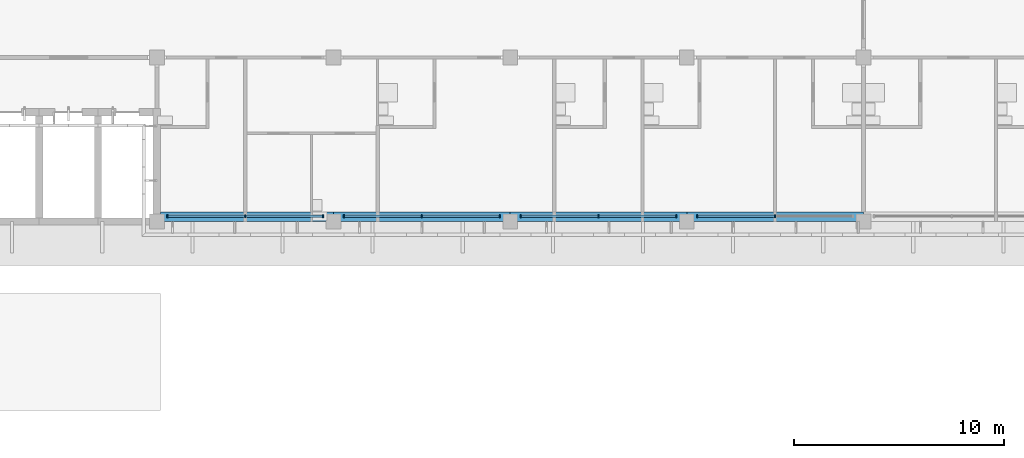
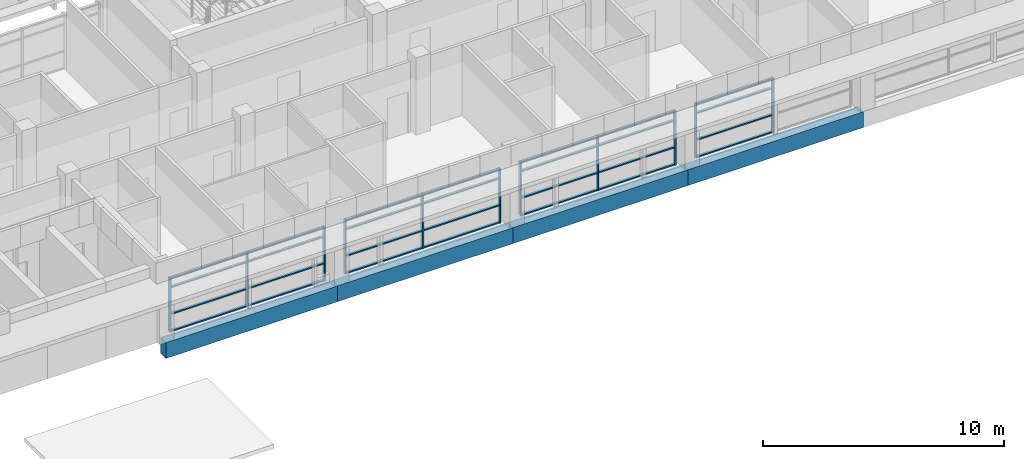
# One storey, part 3 of 36: 39 members, 4 beams, 4 elements without a shape of their own.
"""IFC4 building model written with IfcOpenShell, lengths in metres."""

from ifc_helpers import new_model, si_unit, direction, frame, origin, origin_2d, place, context, subcontext, project, spatial, rectangle, extrude, material, material_profile, profile_set, type_object, element, aggregate, save


model = new_model("IFC4")

# Units and contexts
model_context = context("Model", 3, precision=1e-05, world=origin(), true_north=direction((0.0, 1.0)))
body_context = subcontext(model_context, "Body", "Model", "MODEL_VIEW")
ifc_project = project(units=[si_unit("LENGTHUNIT", "METRE"), si_unit("AREAUNIT", "SQUARE_METRE"), si_unit("VOLUMEUNIT", "CUBIC_METRE"), si_unit("PLANEANGLEUNIT", "RADIAN"), si_unit("MASSUNIT", "GRAM", prefix="KILO")], contexts=[model_context])

# Site, building, storey
site_placement = place(None, origin())
site = spatial("IfcSite", under=ifc_project, at=site_placement, CompositionType="ELEMENT")
building_placement = place(site_placement, origin())
building = spatial("IfcBuilding", under=site, at=building_placement, Name="Bougainvillea Quay General Hospital", CompositionType="ELEMENT")
storey_placement = place(building_placement, frame((0.0, 0.0, 32.699951171875)))
storey = spatial("IfcBuildingStorey", under=building, at=storey_placement, Name="L07", CompositionType="ELEMENT", Elevation=32.699951171875)

# Curtain wall, members
ifc_material_1 = material(Name="Aluminium curtain wall system, powder-coated glazed", Category="aluminium")
curtain_wall_type = type_object("IfcCurtainWallType", Name="Unitised curtain wall CW-3730", PredefinedType="NOTDEFINED", material=ifc_material_1)
curtain_wall_1_placement = place(storey_placement, origin())
curtain_wall_1 = element("IfcCurtainWall", 1, at=curtain_wall_1_placement, inside=storey, type_object=curtain_wall_type, Name="CW-4200 00", PredefinedType="NOTDEFINED")
ifc_material_2 = material(Name="Aluminium mullion, powder-coated charcoal", Category="aluminium")
ifc_material_profile_1 = material_profile(ifc_material_2, rectangle(XDim=0.159912109375, YDim=0.06005859375, at=origin_2d()))
ifc_profile_set_1 = profile_set([ifc_material_profile_1], Name="Aluminium mullion, powder-coated charcoal")
member_type_1 = type_object("IfcMemberType", Name="Curtain wall mullion 160x60", PredefinedType="MULLION", material=ifc_profile_set_1)
member_1_placement = place(storey_placement, frame((76.10009765625, 140.64990234375, 0.0), z_axis=(0.0, 0.0, 1.0), x_axis=(0.0, 1.0, 0.0)))
member_1 = element("IfcMember", 2, at=member_1_placement, type_object=member_type_1, Name="CW-4200 mullion 1", PredefinedType="MULLION", context=body_context, shape_type="SweptSolid", body=[
    extrude(rectangle(XDim=0.159912109375, YDim=0.06005859375, at=origin_2d()), origin(), (0.0, 0.0, 1.0), 2.75),
])
member_2_placement = place(storey_placement, frame((79.800048828125, 140.64990234375, 0.0), z_axis=(0.0, 0.0, 1.0), x_axis=(0.0, 1.0, 0.0)))
member_2 = element("IfcMember", 3, at=member_2_placement, type_object=member_type_1, Name="CW-4200 mullion 2", PredefinedType="MULLION", context=body_context, shape_type="SweptSolid", body=[
    extrude(rectangle(XDim=0.159912109375, YDim=0.06005859375, at=origin_2d()), origin(), (0.0, 0.0, 1.0), 2.75),
])
member_3_placement = place(storey_placement, frame((83.5, 140.64990234375, 0.0), z_axis=(0.0, 0.0, 1.0), x_axis=(0.0, 1.0, 0.0)))
member_3 = element("IfcMember", 4, at=member_3_placement, type_object=member_type_1, Name="CW-4200 mullion 3", PredefinedType="MULLION", context=body_context, shape_type="SweptSolid", body=[
    extrude(rectangle(XDim=0.159912109375, YDim=0.06005859375, at=origin_2d()), origin(), (0.0, 0.0, 1.0), 2.75),
])

curtain_wall_2_placement = place(storey_placement, origin())
curtain_wall_2 = element("IfcCurtainWall", 5, at=curtain_wall_2_placement, inside=storey, type_object=curtain_wall_type, Name="CW-4200 01", PredefinedType="NOTDEFINED")
member_4_placement = place(storey_placement, frame((84.5, 140.64990234375, 0.0), z_axis=(0.0, 0.0, 1.0), x_axis=(0.0, 1.0, 0.0)))
member_4 = element("IfcMember", 6, at=member_4_placement, type_object=member_type_1, Name="CW-4200 mullion 1", PredefinedType="MULLION", context=body_context, shape_type="SweptSolid", body=[
    extrude(rectangle(XDim=0.159912109375, YDim=0.06005859375, at=origin_2d()), origin(), (0.0, 0.0, 1.0), 2.75),
])
member_5_placement = place(storey_placement, frame((88.199951171875, 140.64990234375, 0.0), z_axis=(0.0, 0.0, 1.0), x_axis=(0.0, 1.0, 0.0)))
member_5 = element("IfcMember", 7, at=member_5_placement, type_object=member_type_1, Name="CW-4200 mullion 2", PredefinedType="MULLION", context=body_context, shape_type="SweptSolid", body=[
    extrude(rectangle(XDim=0.159912109375, YDim=0.06005859375, at=origin_2d()), origin(), (0.0, 0.0, 1.0), 2.75),
])
member_6_placement = place(storey_placement, frame((91.89990234375, 140.64990234375, 0.0), z_axis=(0.0, 0.0, 1.0), x_axis=(0.0, 1.0, 0.0)))
member_6 = element("IfcMember", 8, at=member_6_placement, type_object=member_type_1, Name="CW-4200 mullion 3", PredefinedType="MULLION", context=body_context, shape_type="SweptSolid", body=[
    extrude(rectangle(XDim=0.159912109375, YDim=0.06005859375, at=origin_2d()), origin(), (0.0, 0.0, 1.0), 2.75),
])

curtain_wall_3_placement = place(storey_placement, origin())
curtain_wall_3 = element("IfcCurtainWall", 9, at=curtain_wall_3_placement, inside=storey, type_object=curtain_wall_type, Name="CW-4200 02", PredefinedType="NOTDEFINED")
member_7_placement = place(storey_placement, frame((92.89990234375, 140.64990234375, 0.0), z_axis=(0.0, 0.0, 1.0), x_axis=(0.0, 1.0, 0.0)))
member_7 = element("IfcMember", 10, at=member_7_placement, type_object=member_type_1, Name="CW-4200 mullion 1", PredefinedType="MULLION", context=body_context, shape_type="SweptSolid", body=[
    extrude(rectangle(XDim=0.159912109375, YDim=0.06005859375, at=origin_2d()), origin(), (0.0, 0.0, 1.0), 2.75),
])
member_8_placement = place(storey_placement, frame((96.60009765625, 140.64990234375, 0.0), z_axis=(0.0, 0.0, 1.0), x_axis=(0.0, 1.0, 0.0)))
member_8 = element("IfcMember", 11, at=member_8_placement, type_object=member_type_1, Name="CW-4200 mullion 2", PredefinedType="MULLION", context=body_context, shape_type="SweptSolid", body=[
    extrude(rectangle(XDim=0.159912109375, YDim=0.06005859375, at=origin_2d()), origin(), (0.0, 0.0, 1.0), 2.75),
])
member_9_placement = place(storey_placement, frame((100.300048828125, 140.64990234375, 0.0), z_axis=(0.0, 0.0, 1.0), x_axis=(0.0, 1.0, 0.0)))
member_9 = element("IfcMember", 12, at=member_9_placement, type_object=member_type_1, Name="CW-4200 mullion 3", PredefinedType="MULLION", context=body_context, shape_type="SweptSolid", body=[
    extrude(rectangle(XDim=0.159912109375, YDim=0.06005859375, at=origin_2d()), origin(), (0.0, 0.0, 1.0), 2.75),
])

curtain_wall_4_placement = place(storey_placement, origin())
curtain_wall_4 = element("IfcCurtainWall", 13, at=curtain_wall_4_placement, inside=storey, type_object=curtain_wall_type, Name="CW-4200 03", PredefinedType="NOTDEFINED")
member_10_placement = place(storey_placement, frame((101.300048828125, 140.64990234375, 0.0), z_axis=(0.0, 0.0, 1.0), x_axis=(0.0, 1.0, 0.0)))
member_10 = element("IfcMember", 14, at=member_10_placement, type_object=member_type_1, Name="CW-4200 mullion 1", PredefinedType="MULLION", context=body_context, shape_type="SweptSolid", body=[
    extrude(rectangle(XDim=0.159912109375, YDim=0.06005859375, at=origin_2d()), origin(), (0.0, 0.0, 1.0), 2.75),
])
member_11_placement = place(storey_placement, frame((105.0, 140.64990234375, 0.0), z_axis=(0.0, 0.0, 1.0), x_axis=(0.0, 1.0, 0.0)))
member_11 = element("IfcMember", 15, at=member_11_placement, type_object=member_type_1, Name="CW-4200 mullion 2", PredefinedType="MULLION", context=body_context, shape_type="SweptSolid", body=[
    extrude(rectangle(XDim=0.159912109375, YDim=0.06005859375, at=origin_2d()), origin(), (0.0, 0.0, 1.0), 2.75),
])

# Member
ifc_material_3 = material(Name="Aluminium transom, powder-coated charcoal", Category="aluminium")
ifc_material_profile_2 = material_profile(ifc_material_3, rectangle(XDim=0.1201171875, YDim=0.06005859375, at=origin_2d()))
ifc_profile_set_2 = profile_set([ifc_material_profile_2], Name="Aluminium transom, powder-coated charcoal")
member_type_2 = type_object("IfcMemberType", Name="Curtain wall transom 120x60", PredefinedType="USERDEFINED", material=ifc_profile_set_2)
member_12_placement = place(storey_placement, frame((76.1298828125, 140.64990234375, 0.030029296875), z_axis=(1.0, 0.0, 0.0), x_axis=(0.0, 1.0, 0.0)))
member_12 = element("IfcMember", 16, at=member_12_placement, type_object=member_type_2, Name="CW-4200 transom 1.1", ObjectType="TRANSOM", PredefinedType="USERDEFINED", context=body_context, shape_type="SweptSolid", body=[
    extrude(rectangle(XDim=0.1201171875, YDim=0.06005859375, at=origin_2d()), origin(), (0.0, 0.0, 1.0), 3.64013671875),
])

member_13_placement = place(storey_placement, frame((76.1298828125, 140.64990234375, 0.900146484375), z_axis=(1.0, 0.0, 0.0), x_axis=(0.0, 1.0, 0.0)))
member_13 = element("IfcMember", 17, at=member_13_placement, type_object=member_type_2, Name="CW-4200 transom 1.2", ObjectType="TRANSOM", PredefinedType="USERDEFINED", context=body_context, shape_type="SweptSolid", body=[
    extrude(rectangle(XDim=0.1201171875, YDim=0.06005859375, at=origin_2d()), origin(), (0.0, 0.0, 1.0), 3.64013671875),
])

member_14_placement = place(storey_placement, frame((76.1298828125, 140.64990234375, 2.25), z_axis=(1.0, 0.0, 0.0), x_axis=(0.0, 1.0, 0.0)))
member_14 = element("IfcMember", 18, at=member_14_placement, type_object=member_type_2, Name="CW-4200 transom 1.3", ObjectType="TRANSOM", PredefinedType="USERDEFINED", context=body_context, shape_type="SweptSolid", body=[
    extrude(rectangle(XDim=0.1201171875, YDim=0.06005859375, at=origin_2d()), origin(), (0.0, 0.0, 1.0), 3.64013671875),
])

member_15_placement = place(storey_placement, frame((76.1298828125, 140.64990234375, 2.719970703125), z_axis=(1.0, 0.0, 0.0), x_axis=(0.0, 1.0, 0.0)))
member_15 = element("IfcMember", 19, at=member_15_placement, type_object=member_type_2, Name="CW-4200 transom 1.4", ObjectType="TRANSOM", PredefinedType="USERDEFINED", context=body_context, shape_type="SweptSolid", body=[
    extrude(rectangle(XDim=0.1201171875, YDim=0.06005859375, at=origin_2d()), origin(), (0.0, 0.0, 1.0), 3.64013671875),
])

member_16_placement = place(storey_placement, frame((79.830078125, 140.64990234375, 0.030029296875), z_axis=(1.0, 0.0, 0.0), x_axis=(0.0, 1.0, 0.0)))
member_16 = element("IfcMember", 20, at=member_16_placement, type_object=member_type_2, Name="CW-4200 transom 2.1", ObjectType="TRANSOM", PredefinedType="USERDEFINED", context=body_context, shape_type="SweptSolid", body=[
    extrude(rectangle(XDim=0.1201171875, YDim=0.06005859375, at=origin_2d()), origin(), (0.0, 0.0, 1.0), 3.639892578125),
])

member_17_placement = place(storey_placement, frame((79.830078125, 140.64990234375, 0.900146484375), z_axis=(1.0, 0.0, 0.0), x_axis=(0.0, 1.0, 0.0)))
member_17 = element("IfcMember", 21, at=member_17_placement, type_object=member_type_2, Name="CW-4200 transom 2.2", ObjectType="TRANSOM", PredefinedType="USERDEFINED", context=body_context, shape_type="SweptSolid", body=[
    extrude(rectangle(XDim=0.1201171875, YDim=0.06005859375, at=origin_2d()), origin(), (0.0, 0.0, 1.0), 3.639892578125),
])

member_18_placement = place(storey_placement, frame((79.830078125, 140.64990234375, 2.25), z_axis=(1.0, 0.0, 0.0), x_axis=(0.0, 1.0, 0.0)))
member_18 = element("IfcMember", 22, at=member_18_placement, type_object=member_type_2, Name="CW-4200 transom 2.3", ObjectType="TRANSOM", PredefinedType="USERDEFINED", context=body_context, shape_type="SweptSolid", body=[
    extrude(rectangle(XDim=0.1201171875, YDim=0.06005859375, at=origin_2d()), origin(), (0.0, 0.0, 1.0), 3.639892578125),
])

member_19_placement = place(storey_placement, frame((79.830078125, 140.64990234375, 2.719970703125), z_axis=(1.0, 0.0, 0.0), x_axis=(0.0, 1.0, 0.0)))
member_19 = element("IfcMember", 23, at=member_19_placement, type_object=member_type_2, Name="CW-4200 transom 2.4", ObjectType="TRANSOM", PredefinedType="USERDEFINED", context=body_context, shape_type="SweptSolid", body=[
    extrude(rectangle(XDim=0.1201171875, YDim=0.06005859375, at=origin_2d()), origin(), (0.0, 0.0, 1.0), 3.639892578125),
])

aggregate(curtain_wall_1, [member_1, member_2, member_3, member_12, member_13, member_14, member_15, member_16, member_17, member_18, member_19])

member_20_placement = place(storey_placement, frame((84.530029296875, 140.64990234375, 0.030029296875), z_axis=(1.0, 0.0, 0.0), x_axis=(0.0, 1.0, 0.0)))
member_20 = element("IfcMember", 24, at=member_20_placement, type_object=member_type_2, Name="CW-4200 transom 1.1", ObjectType="TRANSOM", PredefinedType="USERDEFINED", context=body_context, shape_type="SweptSolid", body=[
    extrude(rectangle(XDim=0.1201171875, YDim=0.06005859375, at=origin_2d()), origin(), (0.0, 0.0, 1.0), 3.639892578125),
])

member_21_placement = place(storey_placement, frame((84.530029296875, 140.64990234375, 0.900146484375), z_axis=(1.0, 0.0, 0.0), x_axis=(0.0, 1.0, 0.0)))
member_21 = element("IfcMember", 25, at=member_21_placement, type_object=member_type_2, Name="CW-4200 transom 1.2", ObjectType="TRANSOM", PredefinedType="USERDEFINED", context=body_context, shape_type="SweptSolid", body=[
    extrude(rectangle(XDim=0.1201171875, YDim=0.06005859375, at=origin_2d()), origin(), (0.0, 0.0, 1.0), 3.639892578125),
])

member_22_placement = place(storey_placement, frame((84.530029296875, 140.64990234375, 2.25), z_axis=(1.0, 0.0, 0.0), x_axis=(0.0, 1.0, 0.0)))
member_22 = element("IfcMember", 26, at=member_22_placement, type_object=member_type_2, Name="CW-4200 transom 1.3", ObjectType="TRANSOM", PredefinedType="USERDEFINED", context=body_context, shape_type="SweptSolid", body=[
    extrude(rectangle(XDim=0.1201171875, YDim=0.06005859375, at=origin_2d()), origin(), (0.0, 0.0, 1.0), 3.639892578125),
])

member_23_placement = place(storey_placement, frame((84.530029296875, 140.64990234375, 2.719970703125), z_axis=(1.0, 0.0, 0.0), x_axis=(0.0, 1.0, 0.0)))
member_23 = element("IfcMember", 27, at=member_23_placement, type_object=member_type_2, Name="CW-4200 transom 1.4", ObjectType="TRANSOM", PredefinedType="USERDEFINED", context=body_context, shape_type="SweptSolid", body=[
    extrude(rectangle(XDim=0.1201171875, YDim=0.06005859375, at=origin_2d()), origin(), (0.0, 0.0, 1.0), 3.639892578125),
])

member_24_placement = place(storey_placement, frame((88.22998046875, 140.64990234375, 0.030029296875), z_axis=(1.0, 0.0, 0.0), x_axis=(0.0, 1.0, 0.0)))
member_24 = element("IfcMember", 28, at=member_24_placement, type_object=member_type_2, Name="CW-4200 transom 2.1", ObjectType="TRANSOM", PredefinedType="USERDEFINED", context=body_context, shape_type="SweptSolid", body=[
    extrude(rectangle(XDim=0.1201171875, YDim=0.06005859375, at=origin_2d()), origin(), (0.0, 0.0, 1.0), 3.64013671875),
])

member_25_placement = place(storey_placement, frame((88.22998046875, 140.64990234375, 0.900146484375), z_axis=(1.0, 0.0, 0.0), x_axis=(0.0, 1.0, 0.0)))
member_25 = element("IfcMember", 29, at=member_25_placement, type_object=member_type_2, Name="CW-4200 transom 2.2", ObjectType="TRANSOM", PredefinedType="USERDEFINED", context=body_context, shape_type="SweptSolid", body=[
    extrude(rectangle(XDim=0.1201171875, YDim=0.06005859375, at=origin_2d()), origin(), (0.0, 0.0, 1.0), 3.64013671875),
])

member_26_placement = place(storey_placement, frame((88.22998046875, 140.64990234375, 2.25), z_axis=(1.0, 0.0, 0.0), x_axis=(0.0, 1.0, 0.0)))
member_26 = element("IfcMember", 30, at=member_26_placement, type_object=member_type_2, Name="CW-4200 transom 2.3", ObjectType="TRANSOM", PredefinedType="USERDEFINED", context=body_context, shape_type="SweptSolid", body=[
    extrude(rectangle(XDim=0.1201171875, YDim=0.06005859375, at=origin_2d()), origin(), (0.0, 0.0, 1.0), 3.64013671875),
])

member_27_placement = place(storey_placement, frame((88.22998046875, 140.64990234375, 2.719970703125), z_axis=(1.0, 0.0, 0.0), x_axis=(0.0, 1.0, 0.0)))
member_27 = element("IfcMember", 31, at=member_27_placement, type_object=member_type_2, Name="CW-4200 transom 2.4", ObjectType="TRANSOM", PredefinedType="USERDEFINED", context=body_context, shape_type="SweptSolid", body=[
    extrude(rectangle(XDim=0.1201171875, YDim=0.06005859375, at=origin_2d()), origin(), (0.0, 0.0, 1.0), 3.64013671875),
])

aggregate(curtain_wall_2, [member_4, member_5, member_6, member_20, member_21, member_22, member_23, member_24, member_25, member_26, member_27])

member_28_placement = place(storey_placement, frame((92.929931640625, 140.64990234375, 0.030029296875), z_axis=(1.0, 0.0, 0.0), x_axis=(0.0, 1.0, 0.0)))
member_28 = element("IfcMember", 32, at=member_28_placement, type_object=member_type_2, Name="CW-4200 transom 1.1", ObjectType="TRANSOM", PredefinedType="USERDEFINED", context=body_context, shape_type="SweptSolid", body=[
    extrude(rectangle(XDim=0.1201171875, YDim=0.06005859375, at=origin_2d()), origin(), (0.0, 0.0, 1.0), 3.64013671875),
])

member_29_placement = place(storey_placement, frame((92.929931640625, 140.64990234375, 0.900146484375), z_axis=(1.0, 0.0, 0.0), x_axis=(0.0, 1.0, 0.0)))
member_29 = element("IfcMember", 33, at=member_29_placement, type_object=member_type_2, Name="CW-4200 transom 1.2", ObjectType="TRANSOM", PredefinedType="USERDEFINED", context=body_context, shape_type="SweptSolid", body=[
    extrude(rectangle(XDim=0.1201171875, YDim=0.06005859375, at=origin_2d()), origin(), (0.0, 0.0, 1.0), 3.64013671875),
])

member_30_placement = place(storey_placement, frame((92.929931640625, 140.64990234375, 2.25), z_axis=(1.0, 0.0, 0.0), x_axis=(0.0, 1.0, 0.0)))
member_30 = element("IfcMember", 34, at=member_30_placement, type_object=member_type_2, Name="CW-4200 transom 1.3", ObjectType="TRANSOM", PredefinedType="USERDEFINED", context=body_context, shape_type="SweptSolid", body=[
    extrude(rectangle(XDim=0.1201171875, YDim=0.06005859375, at=origin_2d()), origin(), (0.0, 0.0, 1.0), 3.64013671875),
])

member_31_placement = place(storey_placement, frame((92.929931640625, 140.64990234375, 2.719970703125), z_axis=(1.0, 0.0, 0.0), x_axis=(0.0, 1.0, 0.0)))
member_31 = element("IfcMember", 35, at=member_31_placement, type_object=member_type_2, Name="CW-4200 transom 1.4", ObjectType="TRANSOM", PredefinedType="USERDEFINED", context=body_context, shape_type="SweptSolid", body=[
    extrude(rectangle(XDim=0.1201171875, YDim=0.06005859375, at=origin_2d()), origin(), (0.0, 0.0, 1.0), 3.64013671875),
])

member_32_placement = place(storey_placement, frame((96.6298828125, 140.64990234375, 0.030029296875), z_axis=(1.0, 0.0, 0.0), x_axis=(0.0, 1.0, 0.0)))
member_32 = element("IfcMember", 36, at=member_32_placement, type_object=member_type_2, Name="CW-4200 transom 2.1", ObjectType="TRANSOM", PredefinedType="USERDEFINED", context=body_context, shape_type="SweptSolid", body=[
    extrude(rectangle(XDim=0.1201171875, YDim=0.06005859375, at=origin_2d()), origin(), (0.0, 0.0, 1.0), 3.64013671875),
])

member_33_placement = place(storey_placement, frame((96.6298828125, 140.64990234375, 0.900146484375), z_axis=(1.0, 0.0, 0.0), x_axis=(0.0, 1.0, 0.0)))
member_33 = element("IfcMember", 37, at=member_33_placement, type_object=member_type_2, Name="CW-4200 transom 2.2", ObjectType="TRANSOM", PredefinedType="USERDEFINED", context=body_context, shape_type="SweptSolid", body=[
    extrude(rectangle(XDim=0.1201171875, YDim=0.06005859375, at=origin_2d()), origin(), (0.0, 0.0, 1.0), 3.64013671875),
])

member_34_placement = place(storey_placement, frame((96.6298828125, 140.64990234375, 2.25), z_axis=(1.0, 0.0, 0.0), x_axis=(0.0, 1.0, 0.0)))
member_34 = element("IfcMember", 38, at=member_34_placement, type_object=member_type_2, Name="CW-4200 transom 2.3", ObjectType="TRANSOM", PredefinedType="USERDEFINED", context=body_context, shape_type="SweptSolid", body=[
    extrude(rectangle(XDim=0.1201171875, YDim=0.06005859375, at=origin_2d()), origin(), (0.0, 0.0, 1.0), 3.64013671875),
])

member_35_placement = place(storey_placement, frame((96.6298828125, 140.64990234375, 2.719970703125), z_axis=(1.0, 0.0, 0.0), x_axis=(0.0, 1.0, 0.0)))
member_35 = element("IfcMember", 39, at=member_35_placement, type_object=member_type_2, Name="CW-4200 transom 2.4", ObjectType="TRANSOM", PredefinedType="USERDEFINED", context=body_context, shape_type="SweptSolid", body=[
    extrude(rectangle(XDim=0.1201171875, YDim=0.06005859375, at=origin_2d()), origin(), (0.0, 0.0, 1.0), 3.64013671875),
])

aggregate(curtain_wall_3, [member_7, member_8, member_9, member_28, member_29, member_30, member_31, member_32, member_33, member_34, member_35])

member_36_placement = place(storey_placement, frame((101.330078125, 140.64990234375, 0.030029296875), z_axis=(1.0, 0.0, 0.0), x_axis=(0.0, 1.0, 0.0)))
member_36 = element("IfcMember", 40, at=member_36_placement, type_object=member_type_2, Name="CW-4200 transom 1.1", ObjectType="TRANSOM", PredefinedType="USERDEFINED", context=body_context, shape_type="SweptSolid", body=[
    extrude(rectangle(XDim=0.1201171875, YDim=0.06005859375, at=origin_2d()), origin(), (0.0, 0.0, 1.0), 3.639892578125),
])

member_37_placement = place(storey_placement, frame((101.330078125, 140.64990234375, 0.900146484375), z_axis=(1.0, 0.0, 0.0), x_axis=(0.0, 1.0, 0.0)))
member_37 = element("IfcMember", 41, at=member_37_placement, type_object=member_type_2, Name="CW-4200 transom 1.2", ObjectType="TRANSOM", PredefinedType="USERDEFINED", context=body_context, shape_type="SweptSolid", body=[
    extrude(rectangle(XDim=0.1201171875, YDim=0.06005859375, at=origin_2d()), origin(), (0.0, 0.0, 1.0), 3.639892578125),
])

member_38_placement = place(storey_placement, frame((101.330078125, 140.64990234375, 2.25), z_axis=(1.0, 0.0, 0.0), x_axis=(0.0, 1.0, 0.0)))
member_38 = element("IfcMember", 42, at=member_38_placement, type_object=member_type_2, Name="CW-4200 transom 1.3", ObjectType="TRANSOM", PredefinedType="USERDEFINED", context=body_context, shape_type="SweptSolid", body=[
    extrude(rectangle(XDim=0.1201171875, YDim=0.06005859375, at=origin_2d()), origin(), (0.0, 0.0, 1.0), 3.639892578125),
])

member_39_placement = place(storey_placement, frame((101.330078125, 140.64990234375, 2.719970703125), z_axis=(1.0, 0.0, 0.0), x_axis=(0.0, 1.0, 0.0)))
member_39 = element("IfcMember", 43, at=member_39_placement, type_object=member_type_2, Name="CW-4200 transom 1.4", ObjectType="TRANSOM", PredefinedType="USERDEFINED", context=body_context, shape_type="SweptSolid", body=[
    extrude(rectangle(XDim=0.1201171875, YDim=0.06005859375, at=origin_2d()), origin(), (0.0, 0.0, 1.0), 3.639892578125),
])

aggregate(curtain_wall_4, [member_10, member_11, member_36, member_37, member_38, member_39])

# Beams
ifc_material_4 = material(Name="Concrete C40", Category="concrete")
ifc_material_profile_3 = material_profile(ifc_material_4, rectangle(XDim=0.449951171875, YDim=0.800048828125, at=origin_2d()))
ifc_profile_set_3 = profile_set([ifc_material_profile_3], Name="Concrete C40")
beam_type = type_object("IfcBeamType", Name="RC BEAM 450x800 C40", PredefinedType="BEAM", material=ifc_profile_set_3)
beam_1_placement = place(storey_placement, frame((75.77490234375, 140.625, -0.699951171875), z_axis=(1.0, 0.0, 0.0), x_axis=(0.0, 1.0, 0.0)))
element("IfcBeam", 44, at=beam_1_placement, inside=storey, type_object=beam_type, Name="Edge beam L07", PredefinedType="BEAM", context=body_context, shape_type="SweptSolid", body=[
    extrude(rectangle(XDim=0.449951171875, YDim=0.800048828125, at=origin_2d()), origin(), (0.0, 0.0, 1.0), 8.22509765625),
])
beam_2_placement = place(storey_placement, frame((84.0, 140.625, -0.699951171875), z_axis=(1.0, 0.0, 0.0), x_axis=(0.0, 1.0, 0.0)))
element("IfcBeam", 45, at=beam_2_placement, inside=storey, type_object=beam_type, Name="Edge beam L07", PredefinedType="BEAM", context=body_context, shape_type="SweptSolid", body=[
    extrude(rectangle(XDim=0.449951171875, YDim=0.800048828125, at=origin_2d()), origin(), (0.0, 0.0, 1.0), 8.39990234375),
])
beam_3_placement = place(storey_placement, frame((92.39990234375, 140.625, -0.699951171875), z_axis=(1.0, 0.0, 0.0), x_axis=(0.0, 1.0, 0.0)))
element("IfcBeam", 46, at=beam_3_placement, inside=storey, type_object=beam_type, Name="Edge beam L07", PredefinedType="BEAM", context=body_context, shape_type="SweptSolid", body=[
    extrude(rectangle(XDim=0.449951171875, YDim=0.800048828125, at=origin_2d()), origin(), (0.0, 0.0, 1.0), 8.400146484375),
])
beam_4_placement = place(storey_placement, frame((100.800048828125, 140.625, -0.699951171875), z_axis=(1.0, 0.0, 0.0), x_axis=(0.0, 1.0, 0.0)))
element("IfcBeam", 47, at=beam_4_placement, inside=storey, type_object=beam_type, Name="Edge beam L07", PredefinedType="BEAM", context=body_context, shape_type="SweptSolid", body=[
    extrude(rectangle(XDim=0.449951171875, YDim=0.800048828125, at=origin_2d()), origin(), (0.0, 0.0, 1.0), 8.39990234375),
])

save(model, "model.ifc")
